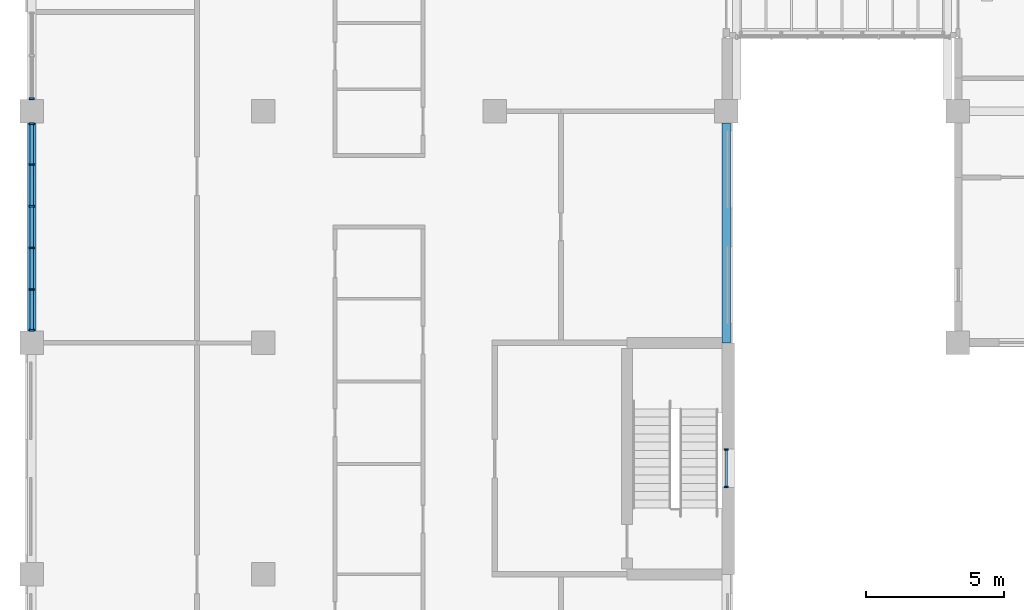
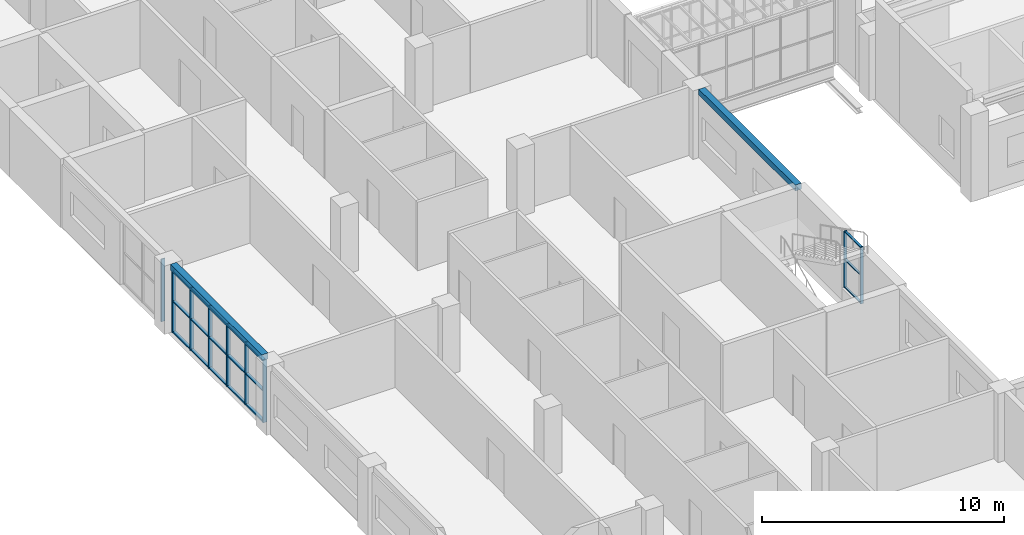
# One storey, part 18 of 94: 27 members, 2 beams, 3 elements without a shape of their own.
"""IFC4 building model written with IfcOpenShell, lengths in metres."""

from ifc_helpers import new_model, si_unit, direction, frame, origin, origin_2d, place, context, subcontext, project, spatial, rectangle, extrude, material, material_profile, profile_set, type_object, element, aggregate, save


model = new_model("IFC4")

# Units and contexts
model_context = context("Model", 3, precision=1e-05, world=origin(), true_north=direction((0.0, 1.0)))
body_context = subcontext(model_context, "Body", "Model", "MODEL_VIEW")
ifc_project = project(units=[si_unit("LENGTHUNIT", "METRE"), si_unit("AREAUNIT", "SQUARE_METRE"), si_unit("VOLUMEUNIT", "CUBIC_METRE"), si_unit("PLANEANGLEUNIT", "RADIAN"), si_unit("MASSUNIT", "GRAM", prefix="KILO")], contexts=[model_context])

# Site, building, storey
site_placement = place(None, origin())
site = spatial("IfcSite", under=ifc_project, at=site_placement, CompositionType="ELEMENT")
building_placement = place(site_placement, origin())
building = spatial("IfcBuilding", under=site, at=building_placement, Name="Yavir Park General Hospital", CompositionType="ELEMENT")
storey_placement = place(building_placement, frame((0.0, 0.0, 4.5)))
storey = spatial("IfcBuildingStorey", under=building, at=storey_placement, Name="L01", CompositionType="ELEMENT", Elevation=4.5)

# Curtain wall, members
ifc_material_1 = material(Name="Aluminium curtain wall frame with insulated glazing", Category="aluminium")
curtain_wall_type_1 = type_object("IfcCurtainWallType", Name="Pool hall glazing, 3150 high, 1400 module", PredefinedType="NOTDEFINED", material=ifc_material_1)
curtain_wall_1_placement = place(storey_placement, origin())
curtain_wall_1 = element("IfcCurtainWall", 1, at=curtain_wall_1_placement, inside=storey, type_object=curtain_wall_type_1, Name="CW20 L01-017", PredefinedType="NOTDEFINED")
ifc_material_2 = material(Name="Aluminium", Category="aluminium")
ifc_material_profile_1 = material_profile(ifc_material_2, rectangle(XDim=0.179931640625, YDim=0.06005859375, at=origin_2d()), Name="AL 60x180")
ifc_profile_set_1 = profile_set([ifc_material_profile_1], Name="Aluminium")
member_type_1 = type_object("IfcMemberType", Name="Pool hall glazing, 3150 high mullion 60 x 180", PredefinedType="MULLION", material=ifc_profile_set_1)
member_1_placement = place(storey_placement, frame((0.0, 50.85498046875, 0.0), z_axis=(0.0, 0.0, 1.0), x_axis=(-1.0, 0.0, 0.0)))
member_1 = element("IfcMember", 2, at=member_1_placement, type_object=member_type_1, Name="CW20 mullion 1", PredefinedType="MULLION", context=body_context, shape_type="SweptSolid", body=[
    extrude(rectangle(XDim=0.179931640625, YDim=0.06005859375, at=origin_2d()), origin(), (0.0, 0.0, 1.0), 3.14990234375),
])
member_2_placement = place(storey_placement, frame((0.0, 52.3349609375, 0.0), z_axis=(0.0, 0.0, 1.0), x_axis=(-1.0, 0.0, 0.0)))
member_2 = element("IfcMember", 3, at=member_2_placement, type_object=member_type_1, Name="CW20 mullion 2", PredefinedType="MULLION", context=body_context, shape_type="SweptSolid", body=[
    extrude(rectangle(XDim=0.179931640625, YDim=0.06005859375, at=origin_2d()), origin(), (0.0, 0.0, 1.0), 3.14990234375),
])
member_3_placement = place(storey_placement, frame((0.0, 53.844970703125, 0.0), z_axis=(0.0, 0.0, 1.0), x_axis=(-1.0, 0.0, 0.0)))
member_3 = element("IfcMember", 4, at=member_3_placement, type_object=member_type_1, Name="CW20 mullion 3", PredefinedType="MULLION", context=body_context, shape_type="SweptSolid", body=[
    extrude(rectangle(XDim=0.179931640625, YDim=0.06005859375, at=origin_2d()), origin(), (0.0, 0.0, 1.0), 3.14990234375),
])
member_4_placement = place(storey_placement, frame((0.0, 55.35498046875, 0.0), z_axis=(0.0, 0.0, 1.0), x_axis=(-1.0, 0.0, 0.0)))
member_4 = element("IfcMember", 5, at=member_4_placement, type_object=member_type_1, Name="CW20 mullion 4", PredefinedType="MULLION", context=body_context, shape_type="SweptSolid", body=[
    extrude(rectangle(XDim=0.179931640625, YDim=0.06005859375, at=origin_2d()), origin(), (0.0, 0.0, 1.0), 3.14990234375),
])
member_5_placement = place(storey_placement, frame((0.0, 56.864990234375, 0.0), z_axis=(0.0, 0.0, 1.0), x_axis=(-1.0, 0.0, 0.0)))
member_5 = element("IfcMember", 6, at=member_5_placement, type_object=member_type_1, Name="CW20 mullion 5", PredefinedType="MULLION", context=body_context, shape_type="SweptSolid", body=[
    extrude(rectangle(XDim=0.179931640625, YDim=0.06005859375, at=origin_2d()), origin(), (0.0, 0.0, 1.0), 3.14990234375),
])
member_6_placement = place(storey_placement, frame((0.0, 58.344970703125, 0.0), z_axis=(0.0, 0.0, 1.0), x_axis=(-1.0, 0.0, 0.0)))
member_6 = element("IfcMember", 7, at=member_6_placement, type_object=member_type_1, Name="CW20 mullion 6", PredefinedType="MULLION", context=body_context, shape_type="SweptSolid", body=[
    extrude(rectangle(XDim=0.179931640625, YDim=0.06005859375, at=origin_2d()), origin(), (0.0, 0.0, 1.0), 3.14990234375),
])

# Curtain wall, member
curtain_wall_2_placement = place(storey_placement, origin())
curtain_wall_2 = element("IfcCurtainWall", 8, at=curtain_wall_2_placement, inside=storey, type_object=curtain_wall_type_1, Name="CW20 L01-018", PredefinedType="NOTDEFINED")
member_7_placement = place(storey_placement, frame((0.0, 59.2548828125, 0.0), z_axis=(0.0, 0.0, 1.0), x_axis=(-1.0, 0.0, 0.0)))
member_7 = element("IfcMember", 9, at=member_7_placement, type_object=member_type_1, Name="CW20 mullion 1", PredefinedType="MULLION", context=body_context, shape_type="SweptSolid", body=[
    extrude(rectangle(XDim=0.179931640625, YDim=0.06005859375, at=origin_2d()), origin(), (0.0, 0.0, 1.0), 3.14990234375),
])
aggregate(curtain_wall_2, [member_7])

# Member
ifc_material_3 = material(Name="Aluminium", Category="aluminium")
ifc_material_profile_2 = material_profile(ifc_material_3, rectangle(XDim=0.139892578125, YDim=0.06005859375, at=origin_2d()), Name="AL 140x60")
ifc_profile_set_2 = profile_set([ifc_material_profile_2], Name="Aluminium")
member_type_2 = type_object("IfcMemberType", Name="Pool hall glazing, 3150 high transom 60 x 140", PredefinedType="MULLION", material=ifc_profile_set_2)
member_8_placement = place(storey_placement, frame((0.0, 50.885009765625, 0.030029296875), z_axis=(0.0, 1.0, 0.0), x_axis=(-1.0, 0.0, 0.0)))
member_8 = element("IfcMember", 10, at=member_8_placement, type_object=member_type_2, Name="CW20 transom 1.1", PredefinedType="MULLION", context=body_context, shape_type="SweptSolid", body=[
    extrude(rectangle(XDim=0.139892578125, YDim=0.06005859375, at=origin_2d()), origin(), (0.0, 0.0, 1.0), 1.419921875),
])

member_9_placement = place(storey_placement, frame((0.0, 50.885009765625, 1.574951171875), z_axis=(0.0, 1.0, 0.0), x_axis=(-1.0, 0.0, 0.0)))
member_9 = element("IfcMember", 11, at=member_9_placement, type_object=member_type_2, Name="CW20 transom 1.2", PredefinedType="MULLION", context=body_context, shape_type="SweptSolid", body=[
    extrude(rectangle(XDim=0.139892578125, YDim=0.06005859375, at=origin_2d()), origin(), (0.0, 0.0, 1.0), 1.419921875),
])

member_10_placement = place(storey_placement, frame((0.0, 50.885009765625, 3.1201171875), z_axis=(0.0, 1.0, 0.0), x_axis=(-1.0, 0.0, 0.0)))
member_10 = element("IfcMember", 12, at=member_10_placement, type_object=member_type_2, Name="CW20 transom 1.3", PredefinedType="MULLION", context=body_context, shape_type="SweptSolid", body=[
    extrude(rectangle(XDim=0.139892578125, YDim=0.06005859375, at=origin_2d()), origin(), (0.0, 0.0, 1.0), 1.419921875),
])

member_11_placement = place(storey_placement, frame((0.0, 52.364990234375, 0.030029296875), z_axis=(0.0, 1.0, 0.0), x_axis=(-1.0, 0.0, 0.0)))
member_11 = element("IfcMember", 13, at=member_11_placement, type_object=member_type_2, Name="CW20 transom 2.1", PredefinedType="MULLION", context=body_context, shape_type="SweptSolid", body=[
    extrude(rectangle(XDim=0.139892578125, YDim=0.06005859375, at=origin_2d()), origin(), (0.0, 0.0, 1.0), 1.449951171875),
])

member_12_placement = place(storey_placement, frame((0.0, 52.364990234375, 1.574951171875), z_axis=(0.0, 1.0, 0.0), x_axis=(-1.0, 0.0, 0.0)))
member_12 = element("IfcMember", 14, at=member_12_placement, type_object=member_type_2, Name="CW20 transom 2.2", PredefinedType="MULLION", context=body_context, shape_type="SweptSolid", body=[
    extrude(rectangle(XDim=0.139892578125, YDim=0.06005859375, at=origin_2d()), origin(), (0.0, 0.0, 1.0), 1.449951171875),
])

member_13_placement = place(storey_placement, frame((0.0, 52.364990234375, 3.1201171875), z_axis=(0.0, 1.0, 0.0), x_axis=(-1.0, 0.0, 0.0)))
member_13 = element("IfcMember", 15, at=member_13_placement, type_object=member_type_2, Name="CW20 transom 2.3", PredefinedType="MULLION", context=body_context, shape_type="SweptSolid", body=[
    extrude(rectangle(XDim=0.139892578125, YDim=0.06005859375, at=origin_2d()), origin(), (0.0, 0.0, 1.0), 1.449951171875),
])

member_14_placement = place(storey_placement, frame((0.0, 53.875, 0.030029296875), z_axis=(0.0, 1.0, 0.0), x_axis=(-1.0, 0.0, 0.0)))
member_14 = element("IfcMember", 16, at=member_14_placement, type_object=member_type_2, Name="CW20 transom 3.1", PredefinedType="MULLION", context=body_context, shape_type="SweptSolid", body=[
    extrude(rectangle(XDim=0.139892578125, YDim=0.06005859375, at=origin_2d()), origin(), (0.0, 0.0, 1.0), 1.449951171875),
])

member_15_placement = place(storey_placement, frame((0.0, 53.875, 1.574951171875), z_axis=(0.0, 1.0, 0.0), x_axis=(-1.0, 0.0, 0.0)))
member_15 = element("IfcMember", 17, at=member_15_placement, type_object=member_type_2, Name="CW20 transom 3.2", PredefinedType="MULLION", context=body_context, shape_type="SweptSolid", body=[
    extrude(rectangle(XDim=0.139892578125, YDim=0.06005859375, at=origin_2d()), origin(), (0.0, 0.0, 1.0), 1.449951171875),
])

member_16_placement = place(storey_placement, frame((0.0, 53.875, 3.1201171875), z_axis=(0.0, 1.0, 0.0), x_axis=(-1.0, 0.0, 0.0)))
member_16 = element("IfcMember", 18, at=member_16_placement, type_object=member_type_2, Name="CW20 transom 3.3", PredefinedType="MULLION", context=body_context, shape_type="SweptSolid", body=[
    extrude(rectangle(XDim=0.139892578125, YDim=0.06005859375, at=origin_2d()), origin(), (0.0, 0.0, 1.0), 1.449951171875),
])

member_17_placement = place(storey_placement, frame((0.0, 55.385009765625, 0.030029296875), z_axis=(0.0, 1.0, 0.0), x_axis=(-1.0, 0.0, 0.0)))
member_17 = element("IfcMember", 19, at=member_17_placement, type_object=member_type_2, Name="CW20 transom 4.1", PredefinedType="MULLION", context=body_context, shape_type="SweptSolid", body=[
    extrude(rectangle(XDim=0.139892578125, YDim=0.06005859375, at=origin_2d()), origin(), (0.0, 0.0, 1.0), 1.449951171875),
])

member_18_placement = place(storey_placement, frame((0.0, 55.385009765625, 1.574951171875), z_axis=(0.0, 1.0, 0.0), x_axis=(-1.0, 0.0, 0.0)))
member_18 = element("IfcMember", 20, at=member_18_placement, type_object=member_type_2, Name="CW20 transom 4.2", PredefinedType="MULLION", context=body_context, shape_type="SweptSolid", body=[
    extrude(rectangle(XDim=0.139892578125, YDim=0.06005859375, at=origin_2d()), origin(), (0.0, 0.0, 1.0), 1.449951171875),
])

member_19_placement = place(storey_placement, frame((0.0, 55.385009765625, 3.1201171875), z_axis=(0.0, 1.0, 0.0), x_axis=(-1.0, 0.0, 0.0)))
member_19 = element("IfcMember", 21, at=member_19_placement, type_object=member_type_2, Name="CW20 transom 4.3", PredefinedType="MULLION", context=body_context, shape_type="SweptSolid", body=[
    extrude(rectangle(XDim=0.139892578125, YDim=0.06005859375, at=origin_2d()), origin(), (0.0, 0.0, 1.0), 1.449951171875),
])

member_20_placement = place(storey_placement, frame((0.0, 56.89501953125, 0.030029296875), z_axis=(0.0, 1.0, 0.0), x_axis=(-1.0, 0.0, 0.0)))
member_20 = element("IfcMember", 22, at=member_20_placement, type_object=member_type_2, Name="CW20 transom 5.1", PredefinedType="MULLION", context=body_context, shape_type="SweptSolid", body=[
    extrude(rectangle(XDim=0.139892578125, YDim=0.06005859375, at=origin_2d()), origin(), (0.0, 0.0, 1.0), 1.419921875),
])

member_21_placement = place(storey_placement, frame((0.0, 56.89501953125, 1.574951171875), z_axis=(0.0, 1.0, 0.0), x_axis=(-1.0, 0.0, 0.0)))
member_21 = element("IfcMember", 23, at=member_21_placement, type_object=member_type_2, Name="CW20 transom 5.2", PredefinedType="MULLION", context=body_context, shape_type="SweptSolid", body=[
    extrude(rectangle(XDim=0.139892578125, YDim=0.06005859375, at=origin_2d()), origin(), (0.0, 0.0, 1.0), 1.419921875),
])

member_22_placement = place(storey_placement, frame((0.0, 56.89501953125, 3.1201171875), z_axis=(0.0, 1.0, 0.0), x_axis=(-1.0, 0.0, 0.0)))
member_22 = element("IfcMember", 24, at=member_22_placement, type_object=member_type_2, Name="CW20 transom 5.3", PredefinedType="MULLION", context=body_context, shape_type="SweptSolid", body=[
    extrude(rectangle(XDim=0.139892578125, YDim=0.06005859375, at=origin_2d()), origin(), (0.0, 0.0, 1.0), 1.419921875),
])

aggregate(curtain_wall_1, [member_1, member_2, member_3, member_4, member_5, member_6, member_8, member_9, member_10, member_11, member_12, member_13, member_14, member_15, member_16, member_17, member_18, member_19, member_20, member_21, member_22])

# Beams
ifc_material_4 = material(Name="Concrete C35/45", Category="concrete")
ifc_material_profile_3 = material_profile(ifc_material_4, rectangle(XDim=0.300048828125, YDim=0.300048828125, at=origin_2d()), Name="RC300x300")
ifc_profile_set_3 = profile_set([ifc_material_profile_3], Name="Concrete C35/45")
beam_type = type_object("IfcBeamType", Name="RC BEAM 300x300 edge beam", PredefinedType="BEAM", material=ifc_profile_set_3)
beam_1_placement = place(storey_placement, frame((0.0, 50.824951171875, 3.300048828125), z_axis=(0.0, 1.0, 0.0), x_axis=(-1.0, 0.0, 0.0)))
element("IfcBeam", 25, at=beam_1_placement, inside=storey, type_object=beam_type, Name="B:EDGE:L01:035", PredefinedType="BEAM", context=body_context, shape_type="SweptSolid", body=[
    extrude(rectangle(XDim=0.300048828125, YDim=0.300048828125, at=origin_2d()), origin(), (0.0, 0.0, 1.0), 7.550048828125),
])
beam_2_placement = place(storey_placement, frame((25.199951171875, 50.39990234375, 3.300048828125), z_axis=(0.0, 1.0, 0.0), x_axis=(-1.0, 0.0, 0.0)))
element("IfcBeam", 26, at=beam_2_placement, inside=storey, type_object=beam_type, Name="B:EDGE:L01:043", PredefinedType="BEAM", context=body_context, shape_type="SweptSolid", body=[
    extrude(rectangle(XDim=0.300048828125, YDim=0.300048828125, at=origin_2d()), origin(), (0.0, 0.0, 1.0), 7.97509765625),
])

# Curtain wall, members
ifc_material_5 = material(Name="Aluminium curtain wall frame with insulated glazing", Category="aluminium")
curtain_wall_type_2 = type_object("IfcCurtainWallType", Name="Stair light slot, podium, 2850 high, 1400 module", PredefinedType="NOTDEFINED", material=ifc_material_5)
curtain_wall_3_placement = place(storey_placement, origin())
curtain_wall_3 = element("IfcCurtainWall", 27, at=curtain_wall_3_placement, inside=storey, type_object=curtain_wall_type_2, Name="CW9 L01-019", PredefinedType="NOTDEFINED")
ifc_material_6 = material(Name="Aluminium", Category="aluminium")
ifc_material_profile_4 = material_profile(ifc_material_6, rectangle(XDim=0.139892578125, YDim=0.050048828125, at=origin_2d()), Name="AL 50x140")
ifc_profile_set_4 = profile_set([ifc_material_profile_4], Name="Aluminium")
member_type_3 = type_object("IfcMemberType", Name="Stair light slot, podium, 2850 high mullion 50 x 140", PredefinedType="MULLION", material=ifc_profile_set_4)
member_23_placement = place(storey_placement, frame((25.199951171875, 45.175048828125, 0.60009765625), z_axis=(0.0, 0.0, 1.0), x_axis=(-1.0, 0.0, 0.0)))
member_23 = element("IfcMember", 28, at=member_23_placement, type_object=member_type_3, Name="CW9 mullion 1", PredefinedType="MULLION", context=body_context, shape_type="SweptSolid", body=[
    extrude(rectangle(XDim=0.139892578125, YDim=0.050048828125, at=origin_2d()), origin(), (0.0, 0.0, 1.0), 2.849853515625),
])
member_24_placement = place(storey_placement, frame((25.199951171875, 46.52490234375, 0.60009765625), z_axis=(0.0, 0.0, 1.0), x_axis=(-1.0, 0.0, 0.0)))
member_24 = element("IfcMember", 29, at=member_24_placement, type_object=member_type_3, Name="CW9 mullion 2", PredefinedType="MULLION", context=body_context, shape_type="SweptSolid", body=[
    extrude(rectangle(XDim=0.139892578125, YDim=0.050048828125, at=origin_2d()), origin(), (0.0, 0.0, 1.0), 2.849853515625),
])
ifc_material_7 = material(Name="Aluminium", Category="aluminium")
ifc_material_profile_5 = material_profile(ifc_material_7, rectangle(XDim=0.10009765625, YDim=0.050048828125, at=origin_2d()), Name="AL 100x50")
ifc_profile_set_5 = profile_set([ifc_material_profile_5], Name="Aluminium")
member_type_4 = type_object("IfcMemberType", Name="Stair light slot, podium, 2850 high transom 50 x 100", PredefinedType="MULLION", material=ifc_profile_set_5)
member_25_placement = place(storey_placement, frame((25.199951171875, 45.199951171875, 0.625), z_axis=(0.0, 1.0, 0.0), x_axis=(-1.0, 0.0, 0.0)))
member_25 = element("IfcMember", 30, at=member_25_placement, type_object=member_type_4, Name="CW9 transom 1.1", PredefinedType="MULLION", context=body_context, shape_type="SweptSolid", body=[
    extrude(rectangle(XDim=0.10009765625, YDim=0.050048828125, at=origin_2d()), origin(), (0.0, 0.0, 1.0), 1.300048828125),
])
member_26_placement = place(storey_placement, frame((25.199951171875, 45.199951171875, 2.02490234375), z_axis=(0.0, 1.0, 0.0), x_axis=(-1.0, 0.0, 0.0)))
member_26 = element("IfcMember", 31, at=member_26_placement, type_object=member_type_4, Name="CW9 transom 1.2", PredefinedType="MULLION", context=body_context, shape_type="SweptSolid", body=[
    extrude(rectangle(XDim=0.10009765625, YDim=0.050048828125, at=origin_2d()), origin(), (0.0, 0.0, 1.0), 1.300048828125),
])
member_27_placement = place(storey_placement, frame((25.199951171875, 45.199951171875, 3.425048828125), z_axis=(0.0, 1.0, 0.0), x_axis=(-1.0, 0.0, 0.0)))
member_27 = element("IfcMember", 32, at=member_27_placement, type_object=member_type_4, Name="CW9 transom 1.3", PredefinedType="MULLION", context=body_context, shape_type="SweptSolid", body=[
    extrude(rectangle(XDim=0.10009765625, YDim=0.050048828125, at=origin_2d()), origin(), (0.0, 0.0, 1.0), 1.300048828125),
])
aggregate(curtain_wall_3, [member_23, member_24, member_25, member_26, member_27])

save(model, "model.ifc")
